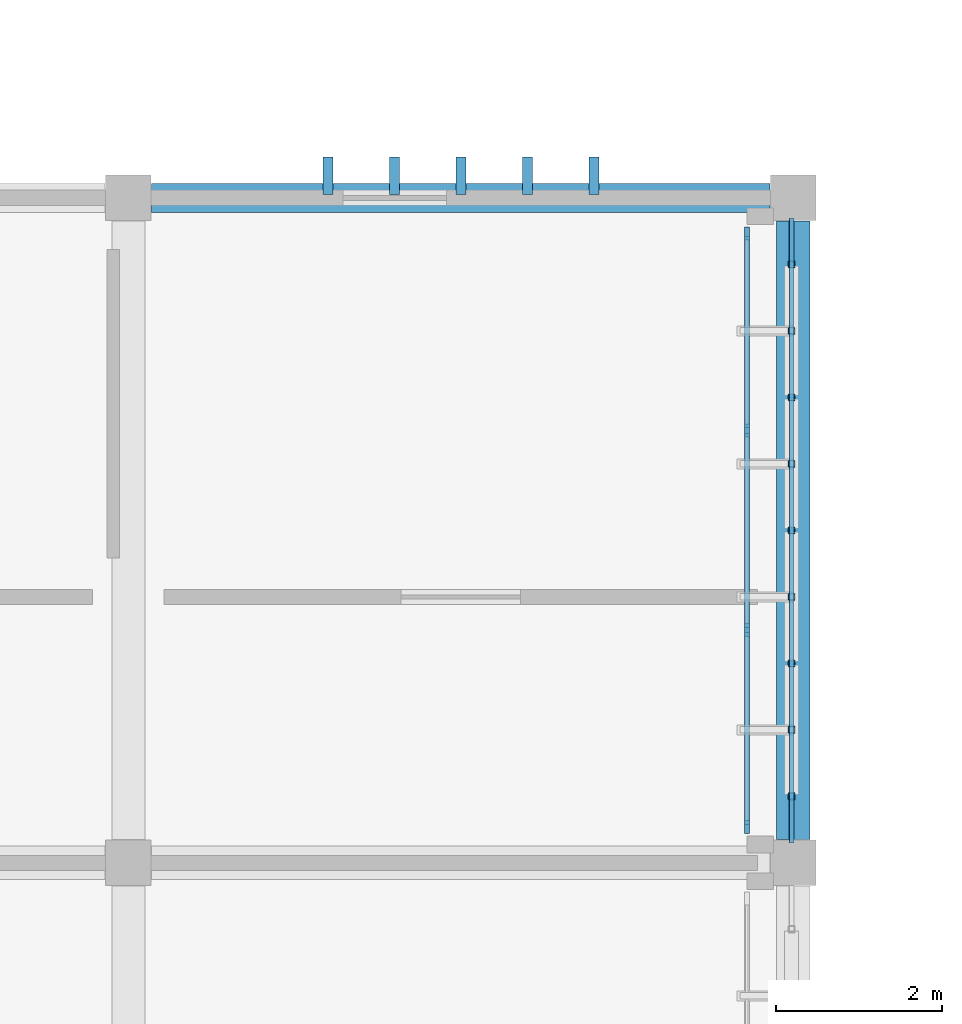
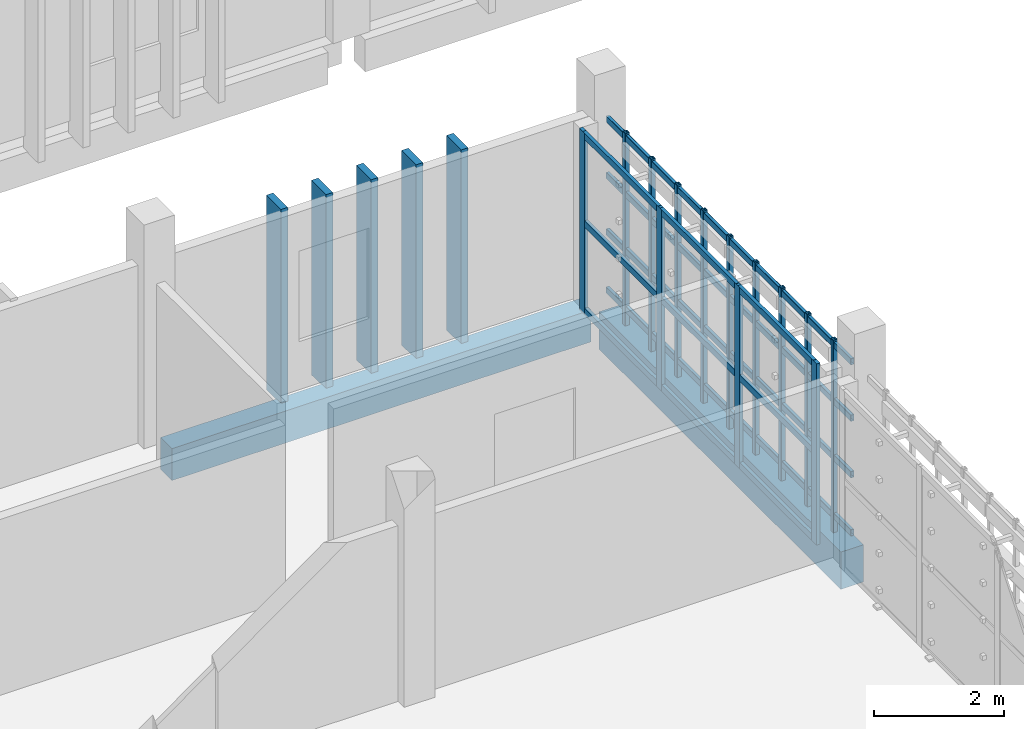
# One storey, part 23 of 63: 31 members, 2 beams, 1 element without a shape of its own.
"""IFC4 building model written with IfcOpenShell, lengths in metres."""

from ifc_helpers import new_model, si_unit, direction, frame, origin, origin_2d, place, context, subcontext, project, spatial, rectangle, hollow_rectangle, extrude, material, layer, layer_set, material_profile, profile_set, type_object, element, aggregate, save


model = new_model("IFC4")

# Units and contexts
model_context = context("Model", 3, precision=1e-05, world=origin(), true_north=direction((0.0, 1.0)))
body_context = subcontext(model_context, "Body", "Model", "MODEL_VIEW")
ifc_project = project(units=[si_unit("LENGTHUNIT", "METRE"), si_unit("AREAUNIT", "SQUARE_METRE"), si_unit("VOLUMEUNIT", "CUBIC_METRE"), si_unit("PLANEANGLEUNIT", "RADIAN"), si_unit("MASSUNIT", "GRAM", prefix="KILO")], contexts=[model_context])

# Site, building, storey
site_placement = place(None, origin())
site = spatial("IfcSite", under=ifc_project, at=site_placement, CompositionType="ELEMENT")
building_placement = place(site_placement, origin())
building = spatial("IfcBuilding", under=site, at=building_placement, Name="Jelvoka-Kovrelna Polytechnic", CompositionType="ELEMENT")
storey_placement = place(building_placement, frame((0.0, 0.0, 18.0)))
storey = spatial("IfcBuildingStorey", under=building, at=storey_placement, Name="L05", CompositionType="ELEMENT", Elevation=18.0)

# Beam
ifc_material_1 = material(Name="Concrete C40/50", Category="concrete")
ifc_material_profile_1 = material_profile(ifc_material_1, rectangle(XDim=0.39990234375, YDim=0.699951171875, at=origin_2d()), Name="RC 400x700")
ifc_profile_set_1 = profile_set([ifc_material_profile_1], Name="Concrete C40/50")
beam_type_1 = type_object("IfcBeamType", Name="Beam_RC_400x700", PredefinedType="BEAM", material=ifc_profile_set_1)
beam_1_placement = place(storey_placement, frame((112.0, 40.280029296875, -0.60009765625), z_axis=(0.0, 1.0, 0.0), x_axis=(-1.0, 0.0, 0.0)))
element("IfcBeam", 1, at=beam_1_placement, inside=storey, type_object=beam_type_1, Name="L05 beam 1458", PredefinedType="BEAM", context=body_context, shape_type="SweptSolid", body=[
    extrude(rectangle(XDim=0.39990234375, YDim=0.699951171875, at=origin_2d()), origin(), (0.0, 0.0, 1.0), 7.43994140625),
])

# Members
ifc_material_2 = material(Name="Precast concrete C40/50", Category="concrete")
ifc_material_profile_2 = material_profile(ifc_material_2, rectangle(XDim=0.1201171875, YDim=0.449951171875, at=origin_2d()), Name="PC 120x450")
ifc_profile_set_2 = profile_set([ifc_material_profile_2], Name="Precast concrete C40/50")
member_type_1 = type_object("IfcMemberType", Name="Louvre_Fin_120x450", PredefinedType="USERDEFINED", material=ifc_profile_set_2)
for number, where, z_axis, x_axis, name in (
    (2, (106.39990234375, 48.264892578125, -0.27001953125), (0.0, 0.0, 1.0), (1.0, 0.0, 0.0), "L05 B2W north vertical solar louvre fin 0806"),
    (3, (107.199951171875, 48.264892578125, -0.27001953125), (0.0, 0.0, 1.0), (1.0, 0.0, 0.0), "L05 B2W north vertical solar louvre fin 0807"),
    (4, (108.0, 48.264892578125, -0.27001953125), (0.0, 0.0, 1.0), (1.0, 0.0, 0.0), "L05 B2W north vertical solar louvre fin 0808"),
    (5, (108.800048828125, 48.264892578125, -0.27001953125), (0.0, 0.0, 1.0), (1.0, 0.0, 0.0), "L05 B2W north vertical solar louvre fin 0809"),
    (6, (109.60009765625, 48.264892578125, -0.27001953125), (0.0, 0.0, 1.0), (1.0, 0.0, 0.0), "L05 B2W north vertical solar louvre fin 0810"),
):
    element("IfcMember", number, at=place(storey_placement, frame(where, z_axis=z_axis, x_axis=x_axis)), inside=storey, type_object=member_type_1, Name=name, ObjectType="SUNSHADE", PredefinedType="USERDEFINED", context=body_context, shape_type="SweptSolid", body=[
        extrude(rectangle(XDim=0.1201171875, YDim=0.449951171875, at=origin_2d()), origin(), (0.0, 0.0, 1.0), 3.655029296875),
    ])
ifc_material_3 = material(Name="Structural steel S355J2H", Category="steel")
ifc_material_profile_3 = material_profile(ifc_material_3, hollow_rectangle(XDim=0.06005859375, YDim=0.1201171875, WallThickness=0.0048828125, InnerFilletRadius=0.0048828125, OuterFilletRadius=0.007568359375, at=origin_2d()), Name="120x60x5.0 RHS")
ifc_profile_set_3 = profile_set([ifc_material_profile_3], Name="Structural steel S355J2H")
member_type_2 = type_object("IfcMemberType", Name="Member_Strut_RHS120", PredefinedType="STRUT", material=ifc_profile_set_3)
for number, where, z_axis, x_axis, name in (
    (7, (111.97998046875, 40.239990234375, 0.080078125), (0.0, 1.0, 0.0), (-1.0, 0.0, 0.0), "L05 terracotta screen horizontal strut 0222"),
    (8, (111.97998046875, 40.239990234375, 1.17138671875), (0.0, 1.0, 0.0), (-1.0, 0.0, 0.0), "L05 terracotta screen horizontal strut 0223"),
    (9, (111.97998046875, 40.239990234375, 2.230712890625), (0.0, 1.0, 0.0), (-1.0, 0.0, 0.0), "L05 terracotta screen horizontal strut 0224"),
    (10, (111.97998046875, 40.239990234375, 3.2900390625), (0.0, 1.0, 0.0), (-1.0, 0.0, 0.0), "L05 terracotta screen horizontal strut 0225"),
):
    element("IfcMember", number, at=place(storey_placement, frame(where, z_axis=z_axis, x_axis=x_axis)), inside=storey, type_object=member_type_2, Name=name, PredefinedType="STRUT", context=body_context, shape_type="SweptSolid", body=[
        extrude(hollow_rectangle(XDim=0.06005859375, YDim=0.1201171875, WallThickness=0.0048828125, InnerFilletRadius=0.0048828125, OuterFilletRadius=0.007568359375, at=origin_2d()), origin(), (0.0, 0.0, 1.0), 7.52001953125),
    ])
ifc_material_4 = material(Name="Structural steel S355J2H", Category="steel")
ifc_material_profile_4 = material_profile(ifc_material_4, hollow_rectangle(XDim=0.080078125, YDim=0.080078125, WallThickness=0.0048828125, InnerFilletRadius=0.0048828125, OuterFilletRadius=0.007568359375, at=origin_2d()), Name="80x80x5.0 SHS")
ifc_profile_set_4 = profile_set([ifc_material_profile_4], Name="Structural steel S355J2H")
member_type_3 = type_object("IfcMemberType", Name="Member_Strut_SHS80", PredefinedType="STRUT", material=ifc_profile_set_4)
for number, where, z_axis, x_axis, name in (
    (11, (111.97998046875, 40.800048828125, -0.22998046875), (0.0, 0.0, 1.0), (1.0, 0.0, 0.0), "L05 terracotta lattice vertical rib 0226"),
    (12, (111.97998046875, 41.60009765625, -0.22998046875), (0.0, 0.0, 1.0), (1.0, 0.0, 0.0), "L05 terracotta lattice vertical rib 0227"),
    (13, (111.97998046875, 42.39990234375, -0.22998046875), (0.0, 0.0, 1.0), (1.0, 0.0, 0.0), "L05 terracotta lattice vertical rib 0228"),
    (14, (111.97998046875, 43.199951171875, -0.22998046875), (0.0, 0.0, 1.0), (1.0, 0.0, 0.0), "L05 terracotta lattice vertical rib 0229"),
    (15, (111.97998046875, 44.0, -0.22998046875), (0.0, 0.0, 1.0), (1.0, 0.0, 0.0), "L05 terracotta lattice vertical rib 0230"),
    (16, (111.97998046875, 44.800048828125, -0.22998046875), (0.0, 0.0, 1.0), (1.0, 0.0, 0.0), "L05 terracotta lattice vertical rib 0231"),
    (17, (111.97998046875, 45.60009765625, -0.22998046875), (0.0, 0.0, 1.0), (1.0, 0.0, 0.0), "L05 terracotta lattice vertical rib 0232"),
    (18, (111.97998046875, 46.39990234375, -0.22998046875), (0.0, 0.0, 1.0), (1.0, 0.0, 0.0), "L05 terracotta lattice vertical rib 0233"),
    (19, (111.97998046875, 47.199951171875, -0.22998046875), (0.0, 0.0, 1.0), (1.0, 0.0, 0.0), "L05 terracotta lattice vertical rib 0234"),
):
    element("IfcMember", number, at=place(storey_placement, frame(where, z_axis=z_axis, x_axis=x_axis)), inside=storey, type_object=member_type_3, Name=name, PredefinedType="STRUT", context=body_context, shape_type="SweptSolid", body=[
        extrude(hollow_rectangle(XDim=0.080078125, YDim=0.080078125, WallThickness=0.0048828125, InnerFilletRadius=0.0048828125, OuterFilletRadius=0.007568359375, at=origin_2d()), origin(), (0.0, 0.0, 1.0), 3.60986328125),
    ])

# Curtain wall, members
ifc_material_5 = material(Name="Anodised aluminium 6063-T6", Category="aluminium")
ifc_layer = layer(ifc_material_5, 0.159912109375)
ifc_layer_set = layer_set([ifc_layer], Name="Anodised aluminium 6063-T6")
curtain_wall_type = type_object("IfcCurtainWallType", Name="CW_Recessed_A", PredefinedType="NOTDEFINED", material=ifc_layer_set)
curtain_wall_placement = place(storey_placement, origin())
curtain_wall = element("IfcCurtainWall", 20, at=curtain_wall_placement, inside=storey, type_object=curtain_wall_type, Name="L05 glazed curtain wall 034", PredefinedType="NOTDEFINED")
ifc_material_6 = material(Name="Anodised aluminium 6063-T6", Category="aluminium")
ifc_material_profile_5 = material_profile(ifc_material_6, rectangle(XDim=0.06005859375, YDim=0.159912109375, at=origin_2d()), Name="ALU 60x160")
ifc_profile_set_5 = profile_set([ifc_material_profile_5], Name="Anodised aluminium 6063-T6")
member_type_4 = type_object("IfcMemberType", Name="Mullion_M-01", PredefinedType="MULLION", material=ifc_profile_set_5)
member_1_placement = place(storey_placement, frame((111.43994140625, 47.570068359375, -0.02490234375), z_axis=(0.0, 0.0, 1.0), x_axis=(1.0, 0.0, 0.0)))
member_1 = element("IfcMember", 21, at=member_1_placement, type_object=member_type_4, Name="CW-01 mullion 1", PredefinedType="MULLION", context=body_context, shape_type="SweptSolid", body=[
    extrude(rectangle(XDim=0.06005859375, YDim=0.159912109375, at=origin_2d()), origin(), (0.0, 0.0, 1.0), 3.400146484375),
])
member_2_placement = place(storey_placement, frame((111.43994140625, 45.199951171875, -0.02490234375), z_axis=(0.0, 0.0, 1.0), x_axis=(1.0, 0.0, 0.0)))
member_2 = element("IfcMember", 22, at=member_2_placement, type_object=member_type_4, Name="CW-01 mullion 2", PredefinedType="MULLION", context=body_context, shape_type="SweptSolid", body=[
    extrude(rectangle(XDim=0.06005859375, YDim=0.159912109375, at=origin_2d()), origin(), (0.0, 0.0, 1.0), 3.400146484375),
])
member_3_placement = place(storey_placement, frame((111.43994140625, 42.800048828125, -0.02490234375), z_axis=(0.0, 0.0, 1.0), x_axis=(1.0, 0.0, 0.0)))
member_3 = element("IfcMember", 23, at=member_3_placement, type_object=member_type_4, Name="CW-01 mullion 3", PredefinedType="MULLION", context=body_context, shape_type="SweptSolid", body=[
    extrude(rectangle(XDim=0.06005859375, YDim=0.159912109375, at=origin_2d()), origin(), (0.0, 0.0, 1.0), 3.400146484375),
])
member_4_placement = place(storey_placement, frame((111.43994140625, 40.429931640625, -0.02490234375), z_axis=(0.0, 0.0, 1.0), x_axis=(1.0, 0.0, 0.0)))
member_4 = element("IfcMember", 24, at=member_4_placement, type_object=member_type_4, Name="CW-01 mullion 4", PredefinedType="MULLION", context=body_context, shape_type="SweptSolid", body=[
    extrude(rectangle(XDim=0.06005859375, YDim=0.159912109375, at=origin_2d()), origin(), (0.0, 0.0, 1.0), 3.400146484375),
])

# Beam
ifc_material_7 = material(Name="Concrete C40/50", Category="concrete")
ifc_material_profile_6 = material_profile(ifc_material_7, rectangle(XDim=0.35009765625, YDim=0.60009765625, at=origin_2d()), Name="RC 350x600")
ifc_profile_set_6 = profile_set([ifc_material_profile_6], Name="Concrete C40/50")
beam_type_2 = type_object("IfcBeamType", Name="Spandrel_RC_350x600", PredefinedType="SPANDREL", material=ifc_profile_set_6)
beam_2_placement = place(storey_placement, frame((104.280029296875, 48.0, -0.550048828125), z_axis=(1.0, 0.0, 0.0), x_axis=(0.0, 1.0, 0.0)))
element("IfcBeam", 25, at=beam_2_placement, inside=storey, type_object=beam_type_2, Name="L05 beam 1442", PredefinedType="SPANDREL", context=body_context, shape_type="SweptSolid", body=[
    extrude(rectangle(XDim=0.35009765625, YDim=0.60009765625, at=origin_2d()), origin(), (0.0, 0.0, 1.0), 7.43994140625),
])

# Member
ifc_material_8 = material(Name="Anodised aluminium 6063-T6", Category="aluminium")
ifc_material_profile_7 = material_profile(ifc_material_8, rectangle(XDim=0.06005859375, YDim=0.1201171875, at=origin_2d()), Name="ALU 60x120")
ifc_profile_set_7 = profile_set([ifc_material_profile_7], Name="Anodised aluminium 6063-T6")
member_type_5 = type_object("IfcMemberType", Name="Transom_T-01", PredefinedType="USERDEFINED", material=ifc_profile_set_7)
member_5_placement = place(storey_placement, frame((111.43994140625, 47.5400390625, 0.030029296875), z_axis=(0.0, -1.0, 0.0), x_axis=(1.0, 0.0, 0.0)))
member_5 = element("IfcMember", 26, at=member_5_placement, type_object=member_type_5, Name="CW-01 transom 1.1", ObjectType="TRANSOM", PredefinedType="USERDEFINED", context=body_context, shape_type="SweptSolid", body=[
    extrude(rectangle(XDim=0.06005859375, YDim=0.1201171875, at=origin_2d()), origin(), (0.0, 0.0, 1.0), 2.31005859375),
])

member_6_placement = place(storey_placement, frame((111.43994140625, 47.5400390625, 1.675048828125), z_axis=(0.0, -1.0, 0.0), x_axis=(1.0, 0.0, 0.0)))
member_6 = element("IfcMember", 27, at=member_6_placement, type_object=member_type_5, Name="CW-01 transom 1.2", ObjectType="TRANSOM", PredefinedType="USERDEFINED", context=body_context, shape_type="SweptSolid", body=[
    extrude(rectangle(XDim=0.06005859375, YDim=0.1201171875, at=origin_2d()), origin(), (0.0, 0.0, 1.0), 2.31005859375),
])

member_7_placement = place(storey_placement, frame((111.43994140625, 47.5400390625, 3.320068359375), z_axis=(0.0, -1.0, 0.0), x_axis=(1.0, 0.0, 0.0)))
member_7 = element("IfcMember", 28, at=member_7_placement, type_object=member_type_5, Name="CW-01 transom 1.3", ObjectType="TRANSOM", PredefinedType="USERDEFINED", context=body_context, shape_type="SweptSolid", body=[
    extrude(rectangle(XDim=0.06005859375, YDim=0.1201171875, at=origin_2d()), origin(), (0.0, 0.0, 1.0), 2.31005859375),
])

member_8_placement = place(storey_placement, frame((111.43994140625, 45.169921875, 0.030029296875), z_axis=(0.0, -1.0, 0.0), x_axis=(1.0, 0.0, 0.0)))
member_8 = element("IfcMember", 29, at=member_8_placement, type_object=member_type_5, Name="CW-01 transom 2.1", ObjectType="TRANSOM", PredefinedType="USERDEFINED", context=body_context, shape_type="SweptSolid", body=[
    extrude(rectangle(XDim=0.06005859375, YDim=0.1201171875, at=origin_2d()), origin(), (0.0, 0.0, 1.0), 2.33984375),
])

member_9_placement = place(storey_placement, frame((111.43994140625, 45.169921875, 1.675048828125), z_axis=(0.0, -1.0, 0.0), x_axis=(1.0, 0.0, 0.0)))
member_9 = element("IfcMember", 30, at=member_9_placement, type_object=member_type_5, Name="CW-01 transom 2.2", ObjectType="TRANSOM", PredefinedType="USERDEFINED", context=body_context, shape_type="SweptSolid", body=[
    extrude(rectangle(XDim=0.06005859375, YDim=0.1201171875, at=origin_2d()), origin(), (0.0, 0.0, 1.0), 2.33984375),
])

member_10_placement = place(storey_placement, frame((111.43994140625, 45.169921875, 3.320068359375), z_axis=(0.0, -1.0, 0.0), x_axis=(1.0, 0.0, 0.0)))
member_10 = element("IfcMember", 31, at=member_10_placement, type_object=member_type_5, Name="CW-01 transom 2.3", ObjectType="TRANSOM", PredefinedType="USERDEFINED", context=body_context, shape_type="SweptSolid", body=[
    extrude(rectangle(XDim=0.06005859375, YDim=0.1201171875, at=origin_2d()), origin(), (0.0, 0.0, 1.0), 2.33984375),
])

member_11_placement = place(storey_placement, frame((111.43994140625, 42.77001953125, 0.030029296875), z_axis=(0.0, -1.0, 0.0), x_axis=(1.0, 0.0, 0.0)))
member_11 = element("IfcMember", 32, at=member_11_placement, type_object=member_type_5, Name="CW-01 transom 3.1", ObjectType="TRANSOM", PredefinedType="USERDEFINED", context=body_context, shape_type="SweptSolid", body=[
    extrude(rectangle(XDim=0.06005859375, YDim=0.1201171875, at=origin_2d()), origin(), (0.0, 0.0, 1.0), 2.31005859375),
])

member_12_placement = place(storey_placement, frame((111.43994140625, 42.77001953125, 1.675048828125), z_axis=(0.0, -1.0, 0.0), x_axis=(1.0, 0.0, 0.0)))
member_12 = element("IfcMember", 33, at=member_12_placement, type_object=member_type_5, Name="CW-01 transom 3.2", ObjectType="TRANSOM", PredefinedType="USERDEFINED", context=body_context, shape_type="SweptSolid", body=[
    extrude(rectangle(XDim=0.06005859375, YDim=0.1201171875, at=origin_2d()), origin(), (0.0, 0.0, 1.0), 2.31005859375),
])

member_13_placement = place(storey_placement, frame((111.43994140625, 42.77001953125, 3.320068359375), z_axis=(0.0, -1.0, 0.0), x_axis=(1.0, 0.0, 0.0)))
member_13 = element("IfcMember", 34, at=member_13_placement, type_object=member_type_5, Name="CW-01 transom 3.3", ObjectType="TRANSOM", PredefinedType="USERDEFINED", context=body_context, shape_type="SweptSolid", body=[
    extrude(rectangle(XDim=0.06005859375, YDim=0.1201171875, at=origin_2d()), origin(), (0.0, 0.0, 1.0), 2.31005859375),
])

aggregate(curtain_wall, [member_1, member_2, member_3, member_4, member_5, member_6, member_7, member_8, member_9, member_10, member_11, member_12, member_13])

save(model, "model.ifc")
